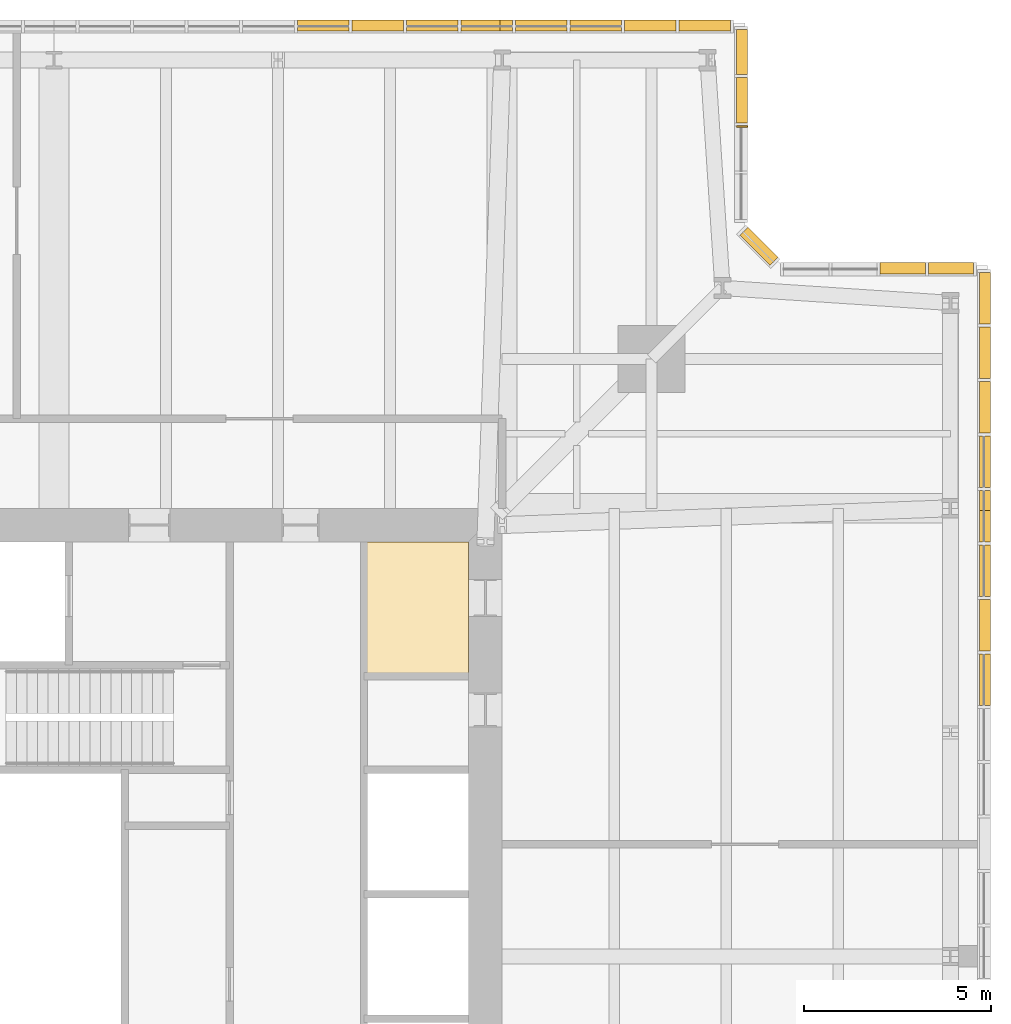
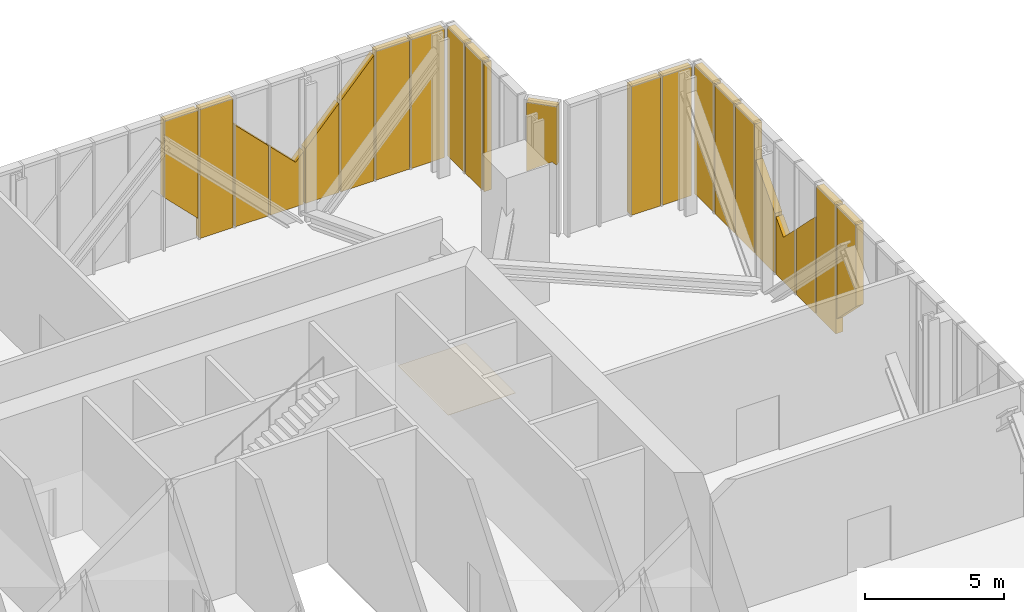
# One storey, part 18 of 18: 23 coverings.
"""IFC4 building model written with IfcOpenShell, lengths in metres."""

from ifc_helpers import new_model, si_unit, direction, frame, origin, place, context, subcontext, project, spatial, polyline, outline, extrude, material, layer, layer_set, type_object, element, save


model = new_model("IFC4")

# Units and contexts
model_context = context("Model", 3, precision=1e-05, world=origin(), true_north=direction((0.0, 1.0)))
body_context = subcontext(model_context, "Body", "Model", "MODEL_VIEW")
ifc_project = project(units=[si_unit("LENGTHUNIT", "METRE"), si_unit("AREAUNIT", "SQUARE_METRE"), si_unit("VOLUMEUNIT", "CUBIC_METRE"), si_unit("PLANEANGLEUNIT", "RADIAN"), si_unit("MASSUNIT", "GRAM", prefix="KILO")], contexts=[model_context])

# Site, building, storey
site_placement = place(None, origin())
site = spatial("IfcSite", under=ifc_project, at=site_placement, CompositionType="ELEMENT")
building_placement = place(site_placement, origin())
building = spatial("IfcBuilding", under=site, at=building_placement, Name="Fenwick Lantern Interchange", CompositionType="ELEMENT")
storey_placement = place(building_placement, frame((0.0, 0.0, 301.800048828125)))
storey = spatial("IfcBuildingStorey", under=building, at=storey_placement, Name="L73", CompositionType="ELEMENT", Elevation=301.800048828125)

# Coverings
ifc_material_1 = material(Name="Granite cladding, warm grey flamed finish, on aluminium carrier frame", Category="masonry")
ifc_layer_1 = layer(ifc_material_1, 0.300048828125)
ifc_layer_set_1 = layer_set([ifc_layer_1], Name="BRACE CASING PANEL 300")
covering_type_1 = type_object("IfcCoveringType", Name="BRACE CASING PANEL 300", PredefinedType="CLADDING", material=ifc_layer_set_1)
covering_1_placement = place(storey_placement, frame((49.89990234375, 6.60009765625, 0.7099609375), z_axis=(0.0, 0.0, 1.0), x_axis=(0.0, 1.0, 0.0)))
element("IfcCovering", 1, at=covering_1_placement, inside=storey, type_object=covering_type_1, Name="Brace casing 05 bay 17a", PredefinedType="CLADDING", context=body_context, shape_type="SweptSolid", body=[
    extrude(outline(polyline([(26.494384765625, 0.0), (26.494384765625, 4.949951171875), (25.113525390625, 4.949951171875), (25.113525390625, 1.380859375), (26.494384765625, 0.0)])), frame((0.0, 0.125, 0.0), z_axis=(0.0, -1.0, 0.0), x_axis=(1.0, 0.0, 0.0)), (0.0, 0.0, 1.0), 0.300048828125),
])
covering_2_placement = place(storey_placement, frame((49.89990234375, 6.60009765625, 0.0), z_axis=(0.0, 0.0, 1.0), x_axis=(0.0, 1.0, 0.0)))
element("IfcCovering", 2, at=covering_2_placement, inside=storey, type_object=covering_type_1, Name="Brace casing 05 bay 18a", PredefinedType="CLADDING", context=body_context, shape_type="SweptSolid", body=[
    extrude(outline(polyline([(26.574462890625, 0.0), (27.955078125, 0.0), (27.955078125, 5.659912109375), (26.574462890625, 5.659912109375), (26.574462890625, 0.0)])), frame((0.0, 0.125, 0.0), z_axis=(0.0, -1.0, 0.0), x_axis=(1.0, 0.0, 0.0)), (0.0, 0.0, 1.0), 0.300048828125),
])
covering_3_placement = place(storey_placement, frame((49.89990234375, 6.60009765625, 0.0), z_axis=(0.0, 0.0, 1.0), x_axis=(0.0, 1.0, 0.0)))
element("IfcCovering", 3, at=covering_3_placement, inside=storey, type_object=covering_type_1, Name="Brace casing 05 bay 19a", PredefinedType="CLADDING", context=body_context, shape_type="SweptSolid", body=[
    extrude(outline(polyline([(28.03515625, 0.0), (29.416015625, 0.0), (29.416015625, 2.879638671875), (28.03515625, 4.26025390625), (28.03515625, 0.0)])), frame((0.0, 0.125, 0.0), z_axis=(0.0, -1.0, 0.0), x_axis=(1.0, 0.0, 0.0)), (0.0, 0.0, 1.0), 0.300048828125),
])
covering_4_placement = place(storey_placement, frame((49.89990234375, 6.60009765625, 0.0), z_axis=(0.0, 0.0, 1.0), x_axis=(0.0, 1.0, 0.0)))
element("IfcCovering", 4, at=covering_4_placement, inside=storey, type_object=covering_type_1, Name="Brace casing 05 bay 20a", PredefinedType="CLADDING", context=body_context, shape_type="SweptSolid", body=[
    extrude(outline(polyline([(29.49609375, 0.0), (30.876708984375, 0.0), (30.876708984375, 2.533935546875), (30.343505859375, 1.9521484375), (29.49609375, 2.799560546875), (29.49609375, 0.0)])), frame((0.0, 0.125, 0.0), z_axis=(0.0, -1.0, 0.0), x_axis=(1.0, 0.0, 0.0)), (0.0, 0.0, 1.0), 0.300048828125),
])
covering_5_placement = place(storey_placement, frame((49.89990234375, 6.60009765625, 0.0), z_axis=(0.0, 0.0, 1.0), x_axis=(0.0, 1.0, 0.0)))
element("IfcCovering", 5, at=covering_5_placement, inside=storey, type_object=covering_type_1, Name="Brace casing 05 bay 21a", PredefinedType="CLADDING", context=body_context, shape_type="SweptSolid", body=[
    extrude(outline(polyline([(30.956787109375, 0.0), (32.337646484375, 0.0), (32.337646484375, 4.12744140625), (30.956787109375, 2.62109375), (30.956787109375, 0.0)])), frame((0.0, 0.125, 0.0), z_axis=(0.0, -1.0, 0.0), x_axis=(1.0, 0.0, 0.0)), (0.0, 0.0, 1.0), 0.300048828125),
])
covering_6_placement = place(storey_placement, frame((49.89990234375, 6.60009765625, 0.0), z_axis=(0.0, 0.0, 1.0), x_axis=(0.0, 1.0, 0.0)))
element("IfcCovering", 6, at=covering_6_placement, inside=storey, type_object=covering_type_1, Name="Brace casing 05 bay 22a", PredefinedType="CLADDING", context=body_context, shape_type="SweptSolid", body=[
    extrude(outline(polyline([(32.41748046875, 0.0), (33.79833984375, 0.0), (33.79833984375, 5.659912109375), (32.41748046875, 5.659912109375), (32.41748046875, 0.0)])), frame((0.0, 0.125, 0.0), z_axis=(0.0, -1.0, 0.0), x_axis=(1.0, 0.0, 0.0)), (0.0, 0.0, 1.0), 0.300048828125),
])
covering_7_placement = place(storey_placement, frame((49.89990234375, 6.60009765625, 0.0), z_axis=(0.0, 0.0, 1.0), x_axis=(0.0, 1.0, 0.0)))
element("IfcCovering", 7, at=covering_7_placement, inside=storey, type_object=covering_type_1, Name="Brace casing 05 bay 23a", PredefinedType="CLADDING", context=body_context, shape_type="SweptSolid", body=[
    extrude(outline(polyline([(33.87841796875, 0.0), (35.25927734375, 0.0), (35.25927734375, 5.659912109375), (33.87841796875, 5.659912109375), (33.87841796875, 0.0)])), frame((0.0, 0.125, 0.0), z_axis=(0.0, -1.0, 0.0), x_axis=(1.0, 0.0, 0.0)), (0.0, 0.0, 1.0), 0.300048828125),
])
covering_8_placement = place(storey_placement, frame((49.89990234375, 6.60009765625, 0.0), z_axis=(0.0, 0.0, 1.0), x_axis=(0.0, 1.0, 0.0)))
element("IfcCovering", 8, at=covering_8_placement, inside=storey, type_object=covering_type_1, Name="Brace casing 05 bay 24a", PredefinedType="CLADDING", context=body_context, shape_type="SweptSolid", body=[
    extrude(outline(polyline([(35.339111328125, 0.0), (36.719970703125, 0.0), (36.719970703125, 5.659912109375), (35.339111328125, 5.659912109375), (35.339111328125, 0.0)])), frame((0.0, 0.125, 0.0), z_axis=(0.0, -1.0, 0.0), x_axis=(1.0, 0.0, 0.0)), (0.0, 0.0, 1.0), 0.300048828125),
])
covering_9_placement = place(storey_placement, frame((49.89990234375, 43.39990234375, 0.0), z_axis=(0.0, 0.0, 1.0), x_axis=(-1.0, 0.0, 0.0)))
element("IfcCovering", 9, at=covering_9_placement, inside=storey, type_object=covering_type_1, Name="Brace casing 06 bay 00a", PredefinedType="CLADDING", context=body_context, shape_type="SweptSolid", body=[
    extrude(outline(polyline([(0.280029296875, 0.0), (1.490234375, 0.0), (1.490234375, 5.659912109375), (0.280029296875, 5.659912109375), (0.280029296875, 0.0)])), frame((0.0, 0.125, 0.0), z_axis=(0.0, -1.0, 0.0), x_axis=(1.0, 0.0, 0.0)), (0.0, 0.0, 1.0), 0.300048828125),
])
covering_10_placement = place(storey_placement, frame((49.89990234375, 43.39990234375, 0.0), z_axis=(0.0, 0.0, 1.0), x_axis=(-1.0, 0.0, 0.0)))
element("IfcCovering", 10, at=covering_10_placement, inside=storey, type_object=covering_type_1, Name="Brace casing 06 bay 01a", PredefinedType="CLADDING", context=body_context, shape_type="SweptSolid", body=[
    extrude(outline(polyline([(1.5703125, 0.0), (2.78076171875, 0.0), (2.78076171875, 5.659912109375), (1.5703125, 5.659912109375), (1.5703125, 0.0)])), frame((0.0, 0.125, 0.0), z_axis=(0.0, -1.0, 0.0), x_axis=(1.0, 0.0, 0.0)), (0.0, 0.0, 1.0), 0.300048828125),
])
covering_11_placement = place(storey_placement, frame((44.45849609375, 43.39990234375, 2.625244140625), z_axis=(0.0, 0.0, 1.0), x_axis=(-0.707106781187, 0.707106781187, 0.0)))
element("IfcCovering", 11, at=covering_11_placement, inside=storey, type_object=covering_type_1, Name="Brace casing 07 bay 00a", PredefinedType="CLADDING", context=body_context, shape_type="SweptSolid", body=[
    extrude(outline(polyline([(1.4169921875, 0.0), (1.4169921875, 3.03466796875), (0.280029296875, 3.03466796875), (0.280029296875, 0.453857421875), (0.46630859375, 0.5751953125), (1.4169921875, 0.0)])), frame((0.0, 0.125, 0.0), z_axis=(0.0, -1.0, 0.0), x_axis=(1.0, 0.0, 0.0)), (0.0, 0.0, 1.0), 0.300048828125),
])
covering_12_placement = place(storey_placement, frame((43.39990234375, 44.45849609375, 0.0), z_axis=(0.0, 0.0, 1.0), x_axis=(0.0, 1.0, 0.0)))
element("IfcCovering", 12, at=covering_12_placement, inside=storey, type_object=covering_type_1, Name="Brace casing 08 bay 01a", PredefinedType="CLADDING", context=body_context, shape_type="SweptSolid", body=[
    extrude(outline(polyline([(2.741455078125, 0.0), (2.78076171875, 0.0), (2.78076171875, 5.659912109375), (2.741455078125, 5.659912109375), (2.741455078125, 0.0)])), frame((0.0, 0.125, 0.0), z_axis=(0.0, -1.0, 0.0), x_axis=(1.0, 0.0, 0.0)), (0.0, 0.0, 1.0), 0.300048828125),
])
covering_13_placement = place(storey_placement, frame((43.39990234375, 44.45849609375, 0.0), z_axis=(0.0, 0.0, 1.0), x_axis=(0.0, 1.0, 0.0)))
element("IfcCovering", 13, at=covering_13_placement, inside=storey, type_object=covering_type_1, Name="Brace casing 08 bay 02a", PredefinedType="CLADDING", context=body_context, shape_type="SweptSolid", body=[
    extrude(outline(polyline([(2.860595703125, 0.0), (4.071044921875, 0.0), (4.071044921875, 5.659912109375), (2.860595703125, 5.659912109375), (2.860595703125, 0.0)])), frame((0.0, 0.125, 0.0), z_axis=(0.0, -1.0, 0.0), x_axis=(1.0, 0.0, 0.0)), (0.0, 0.0, 1.0), 0.300048828125),
])
covering_14_placement = place(storey_placement, frame((43.39990234375, 44.45849609375, 0.0), z_axis=(0.0, 0.0, 1.0), x_axis=(0.0, 1.0, 0.0)))
element("IfcCovering", 14, at=covering_14_placement, inside=storey, type_object=covering_type_1, Name="Brace casing 08 bay 03a", PredefinedType="CLADDING", context=body_context, shape_type="SweptSolid", body=[
    extrude(outline(polyline([(4.151123046875, 0.0), (5.361328125, 0.0), (5.361328125, 5.659912109375), (4.151123046875, 5.659912109375), (4.151123046875, 0.0)])), frame((0.0, 0.125, 0.0), z_axis=(0.0, -1.0, 0.0), x_axis=(1.0, 0.0, 0.0)), (0.0, 0.0, 1.0), 0.300048828125),
])
covering_15_placement = place(storey_placement, frame((43.39990234375, 49.89990234375, 0.0), z_axis=(0.0, 0.0, 1.0), x_axis=(-1.0, 0.0, 0.0)))
element("IfcCovering", 15, at=covering_15_placement, inside=storey, type_object=covering_type_1, Name="Brace casing 09 bay 00a", PredefinedType="CLADDING", context=body_context, shape_type="SweptSolid", body=[
    extrude(outline(polyline([(0.280029296875, 0.0), (1.660888671875, 0.0), (1.660888671875, 5.659912109375), (0.280029296875, 5.659912109375), (0.280029296875, 0.0)])), frame((0.0, 0.125, 0.0), z_axis=(0.0, -1.0, 0.0), x_axis=(1.0, 0.0, 0.0)), (0.0, 0.0, 1.0), 0.300048828125),
])
covering_16_placement = place(storey_placement, frame((43.39990234375, 49.89990234375, 0.0), z_axis=(0.0, 0.0, 1.0), x_axis=(-1.0, 0.0, 0.0)))
element("IfcCovering", 16, at=covering_16_placement, inside=storey, type_object=covering_type_1, Name="Brace casing 09 bay 01a", PredefinedType="CLADDING", context=body_context, shape_type="SweptSolid", body=[
    extrude(outline(polyline([(1.74072265625, 0.0), (3.12158203125, 0.0), (3.12158203125, 5.659912109375), (1.74072265625, 5.659912109375), (1.74072265625, 0.0)])), frame((0.0, 0.125, 0.0), z_axis=(0.0, -1.0, 0.0), x_axis=(1.0, 0.0, 0.0)), (0.0, 0.0, 1.0), 0.300048828125),
])
covering_17_placement = place(storey_placement, frame((43.39990234375, 49.89990234375, 0.0), z_axis=(0.0, 0.0, 1.0), x_axis=(-1.0, 0.0, 0.0)))
element("IfcCovering", 17, at=covering_17_placement, inside=storey, type_object=covering_type_1, Name="Brace casing 09 bay 02a", PredefinedType="CLADDING", context=body_context, shape_type="SweptSolid", body=[
    extrude(outline(polyline([(3.20166015625, 0.0), (4.58251953125, 0.0), (4.58251953125, 3.99658203125), (3.20166015625, 5.5029296875), (3.20166015625, 0.0)])), frame((0.0, 0.125, 0.0), z_axis=(0.0, -1.0, 0.0), x_axis=(1.0, 0.0, 0.0)), (0.0, 0.0, 1.0), 0.300048828125),
])
covering_18_placement = place(storey_placement, frame((43.39990234375, 49.89990234375, 0.0), z_axis=(0.0, 0.0, 1.0), x_axis=(-1.0, 0.0, 0.0)))
element("IfcCovering", 18, at=covering_18_placement, inside=storey, type_object=covering_type_1, Name="Brace casing 09 bay 03a", PredefinedType="CLADDING", context=body_context, shape_type="SweptSolid", body=[
    extrude(outline(polyline([(4.662353515625, 0.0), (6.043212890625, 0.0), (6.043212890625, 2.403076171875), (4.662353515625, 3.909423828125), (4.662353515625, 0.0)])), frame((0.0, 0.125, 0.0), z_axis=(0.0, -1.0, 0.0), x_axis=(1.0, 0.0, 0.0)), (0.0, 0.0, 1.0), 0.300048828125),
])
covering_19_placement = place(storey_placement, frame((43.39990234375, 49.89990234375, 0.0), z_axis=(0.0, 0.0, 1.0), x_axis=(-1.0, 0.0, 0.0)))
element("IfcCovering", 19, at=covering_19_placement, inside=storey, type_object=covering_type_1, Name="Brace casing 09 bay 04a", PredefinedType="CLADDING", context=body_context, shape_type="SweptSolid", body=[
    extrude(outline(polyline([(6.123291015625, 0.0), (7.50390625, 0.0), (7.50390625, 2.99951171875), (6.45654296875, 1.9521484375), (6.123291015625, 2.315673828125), (6.123291015625, 0.0)])), frame((0.0, 0.125, 0.0), z_axis=(0.0, -1.0, 0.0), x_axis=(1.0, 0.0, 0.0)), (0.0, 0.0, 1.0), 0.300048828125),
])
covering_20_placement = place(storey_placement, frame((43.39990234375, 49.89990234375, 0.0), z_axis=(0.0, 0.0, 1.0), x_axis=(-1.0, 0.0, 0.0)))
element("IfcCovering", 20, at=covering_20_placement, inside=storey, type_object=covering_type_1, Name="Brace casing 09 bay 05a", PredefinedType="CLADDING", context=body_context, shape_type="SweptSolid", body=[
    extrude(outline(polyline([(7.583984375, 0.0), (8.96484375, 0.0), (8.96484375, 4.460205078125), (7.583984375, 3.07958984375), (7.583984375, 0.0)])), frame((0.0, 0.125, 0.0), z_axis=(0.0, -1.0, 0.0), x_axis=(1.0, 0.0, 0.0)), (0.0, 0.0, 1.0), 0.300048828125),
])
covering_21_placement = place(storey_placement, frame((43.39990234375, 49.89990234375, 0.0), z_axis=(0.0, 0.0, 1.0), x_axis=(-1.0, 0.0, 0.0)))
element("IfcCovering", 21, at=covering_21_placement, inside=storey, type_object=covering_type_1, Name="Brace casing 09 bay 06a", PredefinedType="CLADDING", context=body_context, shape_type="SweptSolid", body=[
    extrude(outline(polyline([(9.044921875, 0.0), (10.425537109375, 0.0), (10.425537109375, 5.659912109375), (9.044921875, 5.659912109375), (9.044921875, 0.0)])), frame((0.0, 0.125, 0.0), z_axis=(0.0, -1.0, 0.0), x_axis=(1.0, 0.0, 0.0)), (0.0, 0.0, 1.0), 0.300048828125),
])
covering_22_placement = place(storey_placement, frame((43.39990234375, 49.89990234375, 0.909912109375), z_axis=(0.0, 0.0, 1.0), x_axis=(-1.0, 0.0, 0.0)))
element("IfcCovering", 22, at=covering_22_placement, inside=storey, type_object=covering_type_1, Name="Brace casing 09 bay 07a", PredefinedType="CLADDING", context=body_context, shape_type="SweptSolid", body=[
    extrude(outline(polyline([(10.505615234375, 0.0), (11.886474609375, 1.380859375), (11.886474609375, 4.75), (10.505615234375, 4.75), (10.505615234375, 0.0)])), frame((0.0, 0.125, 0.0), z_axis=(0.0, -1.0, 0.0), x_axis=(1.0, 0.0, 0.0)), (0.0, 0.0, 1.0), 0.300048828125),
])
ifc_material_2 = material(Name="Moisture resistant gypsum board on suspended frame, painted")
ifc_layer_2 = layer(ifc_material_2, 0.014892578125)
ifc_layer_set_2 = layer_set([ifc_layer_2], Name="MOISTURE RESISTANT CEILING 15")
covering_type_2 = type_object("IfcCoveringType", Name="MOISTURE RESISTANT CEILING 15", PredefinedType="CEILING", material=ifc_layer_set_2)
covering_23_placement = place(storey_placement, frame((0.0, 0.0, 2.599853515625)))
element("IfcCovering", 23, at=covering_23_placement, inside=storey, type_object=covering_type_2, Name="Accessible WC and shower ceiling", PredefinedType="CEILING", context=body_context, shape_type="SweptSolid", body=[
    extrude(outline(polyline([(36.10009765625, 36.10009765625), (33.300048828125, 36.10009765625), (33.300048828125, 32.5), (36.10009765625, 32.5), (36.10009765625, 36.10009765625)])), origin(), (0.0, 0.0, 1.0), 0.01513671875),
])

save(model, "model.ifc")
